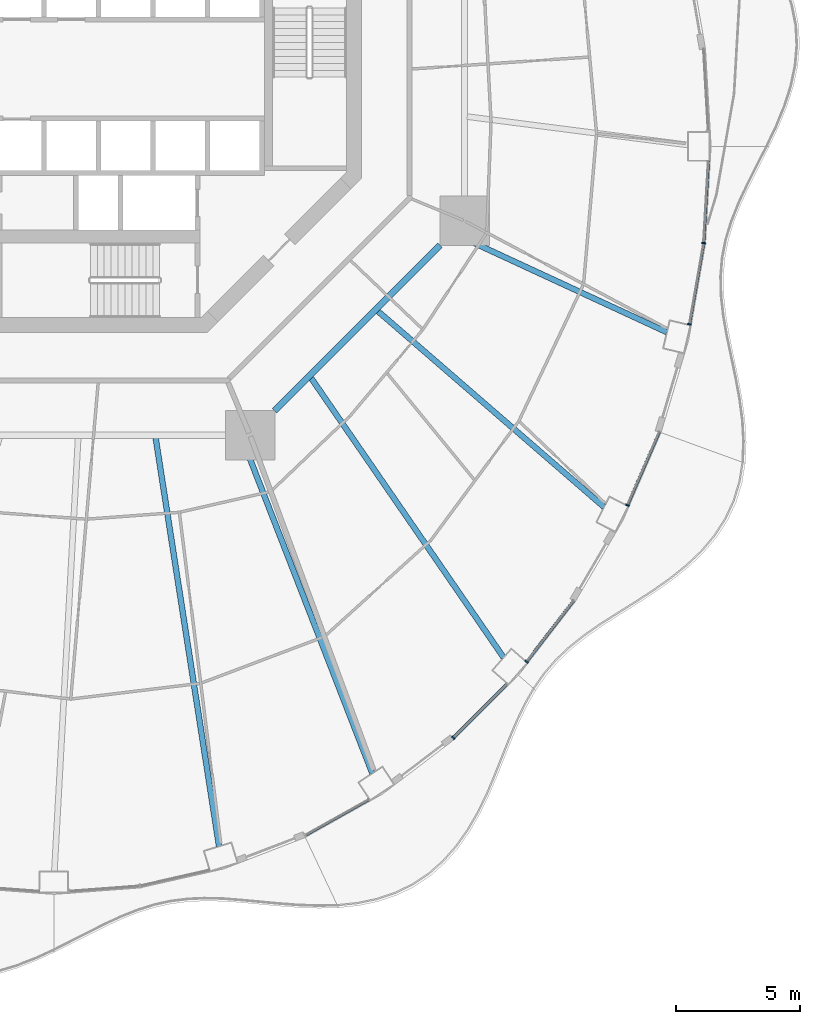
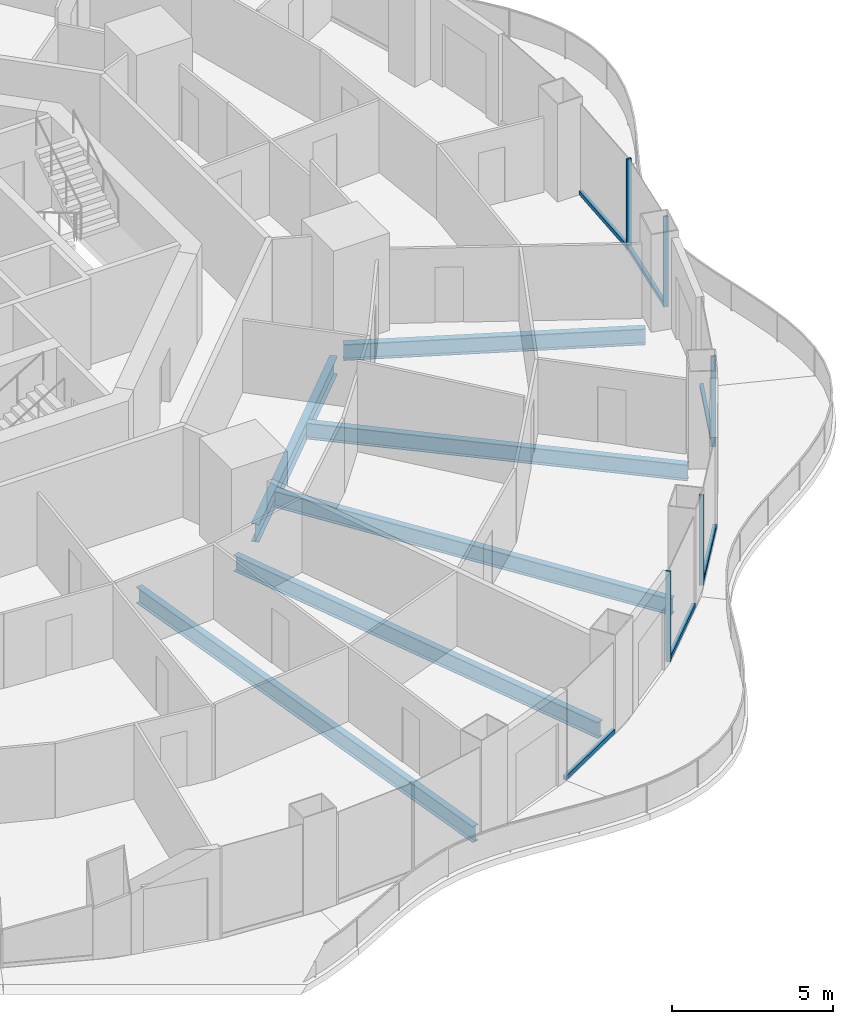
# One storey, part 5 of 20: 11 members, 6 beams, 6 elements without a shape of their own.
"""IFC4 building model written with IfcOpenShell, lengths in metres."""

from ifc_helpers import new_model, si_unit, direction, frame, origin, origin_2d, place, context, subcontext, project, spatial, rectangle, i_section, extrude, material, layer, layer_set, material_profile, profile_set, type_object, element, aggregate, save


model = new_model("IFC4")

# Units and contexts
model_context = context("Model", 3, precision=1e-05, world=origin(), true_north=direction((0.0, 1.0)))
body_context = subcontext(model_context, "Body", "Model", "MODEL_VIEW")
ifc_project = project(units=[si_unit("LENGTHUNIT", "METRE"), si_unit("AREAUNIT", "SQUARE_METRE"), si_unit("VOLUMEUNIT", "CUBIC_METRE"), si_unit("PLANEANGLEUNIT", "RADIAN"), si_unit("MASSUNIT", "GRAM", prefix="KILO")], contexts=[model_context])

# Site, building, storey
site_placement = place(None, origin())
site = spatial("IfcSite", under=ifc_project, at=site_placement, CompositionType="ELEMENT")
building_placement = place(site_placement, origin())
building = spatial("IfcBuilding", under=site, at=building_placement, Name="Nagisa Residences", CompositionType="ELEMENT")
storey_placement = place(building_placement, frame((0.0, 0.0, 119.60009765625)))
storey = spatial("IfcBuildingStorey", under=building, at=storey_placement, Name="L29", CompositionType="ELEMENT", Elevation=119.60009765625)

# Curtain wall, member
ifc_material_1 = material(Name="Concrete-coloured aluminium curtain wall system", Category="concrete")
ifc_layer = layer(ifc_material_1, 0.159912109375)
ifc_layer_set = layer_set([ifc_layer], Name="CW1 CURTAIN WALL")
curtain_wall_type = type_object("IfcCurtainWallType", Name="CW1 CURTAIN WALL", PredefinedType="NOTDEFINED", material=ifc_layer_set)
curtain_wall_1_placement = place(storey_placement, origin())
curtain_wall_1 = element("IfcCurtainWall", 1, at=curtain_wall_1_placement, inside=storey, type_object=curtain_wall_type, Name="cw:CW1:L29:41", PredefinedType="NOTDEFINED")
ifc_material_2 = material(Name="Concrete-coloured aluminium", Category="concrete")
ifc_material_profile_1 = material_profile(ifc_material_2, rectangle(XDim=0.159912109375, YDim=0.06005859375, at=origin_2d()), Name="CW1 MULLION 160x60")
ifc_profile_set_1 = profile_set([ifc_material_profile_1], Name="Concrete-coloured aluminium")
member_type_1 = type_object("IfcMemberType", Name="CW1 MULLION 160x60", PredefinedType="MULLION", material=ifc_profile_set_1)
member_1_placement = place(storey_placement, frame((14.318115234375, -26.9951171875, 0.0), z_axis=(0.0, 0.0, 1.0), x_axis=(-0.706376885714, 0.707835924016, 0.0)))
member_1 = element("IfcMember", 2, at=member_1_placement, type_object=member_type_1, Name="CW1 mullion", PredefinedType="MULLION", context=body_context, shape_type="SweptSolid", body=[
    extrude(rectangle(XDim=0.159912109375, YDim=0.06005859375, at=origin_2d()), origin(), (0.0, 0.0, 1.0), 3.43994140625),
])

curtain_wall_2_placement = place(storey_placement, origin())
curtain_wall_2 = element("IfcCurtainWall", 3, at=curtain_wall_2_placement, inside=storey, type_object=curtain_wall_type, Name="cw:CW1:L29:42", PredefinedType="NOTDEFINED")
member_2_placement = place(storey_placement, frame((17.2841796875, -23.9208984375, 0.0), z_axis=(0.0, 0.0, 1.0), x_axis=(-0.792070340816, 0.610429828235, 0.0)))
member_2 = element("IfcMember", 4, at=member_2_placement, type_object=member_type_1, Name="CW1 mullion", PredefinedType="MULLION", context=body_context, shape_type="SweptSolid", body=[
    extrude(rectangle(XDim=0.159912109375, YDim=0.06005859375, at=origin_2d()), origin(), (0.0, 0.0, 1.0), 3.43994140625),
])

curtain_wall_3_placement = place(storey_placement, origin())
curtain_wall_3 = element("IfcCurtainWall", 5, at=curtain_wall_3_placement, inside=storey, type_object=curtain_wall_type, Name="cw:CW1:L29:44", PredefinedType="NOTDEFINED")
member_3_placement = place(storey_placement, frame((21.357177734375, -17.605224609375, 0.0), z_axis=(0.0, 0.0, 1.0), x_axis=(-0.917543276295, 0.397635934147, 0.0)))
member_3 = element("IfcMember", 6, at=member_3_placement, type_object=member_type_1, Name="CW1 mullion", PredefinedType="MULLION", context=body_context, shape_type="SweptSolid", body=[
    extrude(rectangle(XDim=0.159912109375, YDim=0.06005859375, at=origin_2d()), origin(), (0.0, 0.0, 1.0), 3.43994140625),
])

curtain_wall_4_placement = place(storey_placement, origin())
curtain_wall_4 = element("IfcCurtainWall", 7, at=curtain_wall_4_placement, inside=storey, type_object=curtain_wall_type, Name="cw:CW1:L29:46", PredefinedType="NOTDEFINED")
member_4_placement = place(storey_placement, frame((23.860595703125, -10.29833984375, 0.0), z_axis=(0.0, 0.0, 1.0), x_axis=(-0.985063604377, 0.172190868898, 0.0)))
member_4 = element("IfcMember", 8, at=member_4_placement, type_object=member_type_1, Name="CW1 mullion", PredefinedType="MULLION", context=body_context, shape_type="SweptSolid", body=[
    extrude(rectangle(XDim=0.159912109375, YDim=0.06005859375, at=origin_2d()), origin(), (0.0, 0.0, 1.0), 3.43994140625),
])

curtain_wall_5_placement = place(storey_placement, origin())
curtain_wall_5 = element("IfcCurtainWall", 9, at=curtain_wall_5_placement, inside=storey, type_object=curtain_wall_type, Name="cw:CW1:L29:47", PredefinedType="NOTDEFINED")
member_5_placement = place(storey_placement, frame((24.429931640625, -7.0244140625, 0.0), z_axis=(0.0, 0.0, 1.0), x_axis=(-0.998345305184, 0.057503492216, 0.0)))
member_5 = element("IfcMember", 10, at=member_5_placement, type_object=member_type_1, Name="CW1 mullion", PredefinedType="MULLION", context=body_context, shape_type="SweptSolid", body=[
    extrude(rectangle(XDim=0.159912109375, YDim=0.06005859375, at=origin_2d()), origin(), (0.0, 0.0, 1.0), 3.43994140625),
])

curtain_wall_6_placement = place(storey_placement, origin())
curtain_wall_6 = element("IfcCurtainWall", 11, at=curtain_wall_6_placement, inside=storey, type_object=curtain_wall_type, Name="cw:CW1:L29:39", PredefinedType="NOTDEFINED")
ifc_material_3 = material(Name="Concrete-coloured aluminium", Category="concrete")
ifc_material_profile_2 = material_profile(ifc_material_3, rectangle(XDim=0.1201171875, YDim=0.14990234375, at=origin_2d()), Name="CW1 TRANSOM 120x150")
ifc_profile_set_2 = profile_set([ifc_material_profile_2], Name="Concrete-coloured aluminium")
member_type_2 = type_object("IfcMemberType", Name="CW1 TRANSOM 120x150", PredefinedType="USERDEFINED", material=ifc_profile_set_2)
member_6_placement = place(storey_placement, frame((8.3154296875, -30.944580078125, 0.074951171875), z_axis=(0.87204719449, 0.4894217921, 0.0), x_axis=(-0.4894217921, 0.87204719449, 0.0)))
member_6 = element("IfcMember", 12, at=member_6_placement, type_object=member_type_2, Name="CW1 transom", ObjectType="TRANSOM", PredefinedType="USERDEFINED", context=body_context, shape_type="SweptSolid", body=[
    extrude(rectangle(XDim=0.1201171875, YDim=0.14990234375, at=origin_2d()), origin(), (0.0, 0.0, 1.0), 2.969482421875),
])
aggregate(curtain_wall_6, [member_6])

# Member
member_7_placement = place(storey_placement, frame((14.296875, -27.016357421875, 0.074951171875), z_axis=(0.707857739375, 0.706355024621, 0.0), x_axis=(-0.706355024621, 0.707857739375, 0.0)))
member_7 = element("IfcMember", 13, at=member_7_placement, type_object=member_type_2, Name="CW1 transom", ObjectType="TRANSOM", PredefinedType="USERDEFINED", context=body_context, shape_type="SweptSolid", body=[
    extrude(rectangle(XDim=0.1201171875, YDim=0.14990234375, at=origin_2d()), origin(), (0.0, 0.0, 1.0), 3.0869140625),
])

aggregate(curtain_wall_1, [member_1, member_7])

member_8_placement = place(storey_placement, frame((17.265869140625, -23.94482421875, 0.074951171875), z_axis=(0.610429847179, 0.792070326217, 0.0), x_axis=(-0.792070326217, 0.610429847179, 0.0)))
member_8 = element("IfcMember", 14, at=member_8_placement, type_object=member_type_2, Name="CW1 transom", ObjectType="TRANSOM", PredefinedType="USERDEFINED", context=body_context, shape_type="SweptSolid", body=[
    extrude(rectangle(XDim=0.1201171875, YDim=0.14990234375, at=origin_2d()), origin(), (0.0, 0.0, 1.0), 3.149169921875),
])

aggregate(curtain_wall_2, [member_2, member_8])

member_9_placement = place(storey_placement, frame((21.34521484375, -17.6328125, 0.074951171875), z_axis=(0.397666272939, 0.917530127771, 0.0), x_axis=(-0.917530127771, 0.397666272939, 0.0)))
member_9 = element("IfcMember", 15, at=member_9_placement, type_object=member_type_2, Name="CW1 transom", ObjectType="TRANSOM", PredefinedType="USERDEFINED", context=body_context, shape_type="SweptSolid", body=[
    extrude(rectangle(XDim=0.1201171875, YDim=0.14990234375, at=origin_2d()), origin(), (0.0, 0.0, 1.0), 3.260498046875),
])

aggregate(curtain_wall_3, [member_3, member_9])

member_10_placement = place(storey_placement, frame((23.85546875, -10.327880859375, 0.074951171875), z_axis=(0.172163521006, 0.985068384446, 0.0), x_axis=(-0.985068384446, 0.172163521006, 0.0)))
member_10 = element("IfcMember", 16, at=member_10_placement, type_object=member_type_2, Name="CW1 transom", ObjectType="TRANSOM", PredefinedType="USERDEFINED", context=body_context, shape_type="SweptSolid", body=[
    extrude(rectangle(XDim=0.1201171875, YDim=0.14990234375, at=origin_2d()), origin(), (0.0, 0.0, 1.0), 3.33251953125),
])

aggregate(curtain_wall_4, [member_4, member_10])

member_11_placement = place(storey_placement, frame((24.42822265625, -7.054443359375, 0.074951171875), z_axis=(0.05746514539, 0.998347513176, 0.0), x_axis=(-0.998347513176, 0.05746514539, 0.0)))
member_11 = element("IfcMember", 17, at=member_11_placement, type_object=member_type_2, Name="CW1 transom", ObjectType="TRANSOM", PredefinedType="USERDEFINED", context=body_context, shape_type="SweptSolid", body=[
    extrude(rectangle(XDim=0.1201171875, YDim=0.14990234375, at=origin_2d()), origin(), (0.0, 0.0, 1.0), 3.347900390625),
])

aggregate(curtain_wall_5, [member_5, member_11])

# Beams
ifc_material_4 = material(Name="Steel ASTM A572 Gr 50", Category="steel")
ifc_material_profile_3 = material_profile(ifc_material_4, i_section(OverallWidth=0.25390625, OverallDepth=0.68408203125, WebThickness=0.012451171875, FlangeThickness=0.018798828125, at=origin_2d()), Name="W690x140")
ifc_profile_set_3 = profile_set([ifc_material_profile_3], Name="Steel ASTM A572 Gr 50")
beam_type_1 = type_object("IfcBeamType", Name="Inner ring beam W690x140", PredefinedType="BEAM", material=ifc_profile_set_3)
beam_1_placement = place(storey_placement, frame((7.10888671875, -13.796142578125, -0.60205078125), z_axis=(0.707106781187, 0.707106781187, 0.0), x_axis=(-0.707106781187, 0.707106781187, 0.0)))
element("IfcBeam", 18, at=beam_1_placement, inside=storey, type_object=beam_type_1, Name="beam:L29:ib7", PredefinedType="BEAM", context=body_context, shape_type="SweptSolid", body=[
    extrude(i_section(OverallWidth=0.25390625, OverallDepth=0.68408203125, WebThickness=0.012451171875, FlangeThickness=0.018798828125, at=origin_2d()), origin(), (0.0, 0.0, 1.0), 9.457275390625),
])
ifc_material_5 = material(Name="Steel ASTM A572 Gr 50", Category="steel")
ifc_material_profile_4 = material_profile(ifc_material_5, i_section(OverallWidth=0.22900390625, OverallDepth=0.612060546875, WebThickness=0.011962890625, FlangeThickness=0.01953125, at=origin_2d()), Name="W610x125")
ifc_profile_set_4 = profile_set([ifc_material_profile_4], Name="Steel ASTM A572 Gr 50")
beam_type_2 = type_object("IfcBeamType", Name="Radial beam W610x125", PredefinedType="BEAM", material=ifc_profile_set_4)
beam_2_placement = place(storey_placement, frame((4.87158203125, -31.371337890625, -0.566162109375), z_axis=(-0.153441816097, 0.988157684316, 0.0), x_axis=(-0.988157684316, -0.153441816097, 0.0)))
element("IfcBeam", 19, at=beam_2_placement, inside=storey, type_object=beam_type_2, Name="beam:L29:rb20", PredefinedType="BEAM", context=body_context, shape_type="SweptSolid", body=[
    extrude(i_section(OverallWidth=0.22900390625, OverallDepth=0.612060546875, WebThickness=0.011962890625, FlangeThickness=0.01953125, at=origin_2d()), origin(), (0.0, 0.0, 1.0), 16.679443359375),
])
beam_3_placement = place(storey_placement, frame((11.057861328125, -28.424072265625, -0.566162109375), z_axis=(-0.362553351511, 0.931963018208, 0.0), x_axis=(-0.931963018208, -0.362553351511, 0.0)))
element("IfcBeam", 20, at=beam_3_placement, inside=storey, type_object=beam_type_2, Name="beam:L29:rb21", PredefinedType="BEAM", context=body_context, shape_type="SweptSolid", body=[
    extrude(i_section(OverallWidth=0.22900390625, OverallDepth=0.612060546875, WebThickness=0.011962890625, FlangeThickness=0.01953125, at=origin_2d()), origin(), (0.0, 0.0, 1.0), 14.521728515625),
])
beam_4_placement = place(storey_placement, frame((16.357666015625, -23.74951171875, -0.566162109375), z_axis=(-0.567235127754, 0.823555893575, 0.0), x_axis=(-0.823555893575, -0.567235127754, 0.0)))
element("IfcBeam", 21, at=beam_4_placement, inside=storey, type_object=beam_type_2, Name="beam:L29:rb22", PredefinedType="BEAM", context=body_context, shape_type="SweptSolid", body=[
    extrude(i_section(OverallWidth=0.22900390625, OverallDepth=0.612060546875, WebThickness=0.011962890625, FlangeThickness=0.01953125, at=origin_2d()), origin(), (0.0, 0.0, 1.0), 13.697509765625),
])
beam_5_placement = place(storey_placement, frame((20.41162109375, -17.6748046875, -0.566162109375), z_axis=(-0.755973913649, 0.654601742957, 0.0), x_axis=(-0.654601742957, -0.755973913649, 0.0)))
element("IfcBeam", 22, at=beam_5_placement, inside=storey, type_object=beam_type_2, Name="beam:L29:rb23", PredefinedType="BEAM", context=body_context, shape_type="SweptSolid", body=[
    extrude(i_section(OverallWidth=0.22900390625, OverallDepth=0.612060546875, WebThickness=0.011962890625, FlangeThickness=0.01953125, at=origin_2d()), origin(), (0.0, 0.0, 1.0), 12.072998046875),
])
beam_6_placement = place(storey_placement, frame((22.94921875, -10.618896484375, -0.566162109375), z_axis=(-0.907551024181, 0.419941827528, 0.0), x_axis=(-0.419941827528, -0.907551024181, 0.0)))
element("IfcBeam", 23, at=beam_6_placement, inside=storey, type_object=beam_type_2, Name="beam:L29:rb24", PredefinedType="BEAM", context=body_context, shape_type="SweptSolid", body=[
    extrude(i_section(OverallWidth=0.22900390625, OverallDepth=0.612060546875, WebThickness=0.011962890625, FlangeThickness=0.01953125, at=origin_2d()), origin(), (0.0, 0.0, 1.0), 9.424072265625),
])

save(model, "model.ifc")
